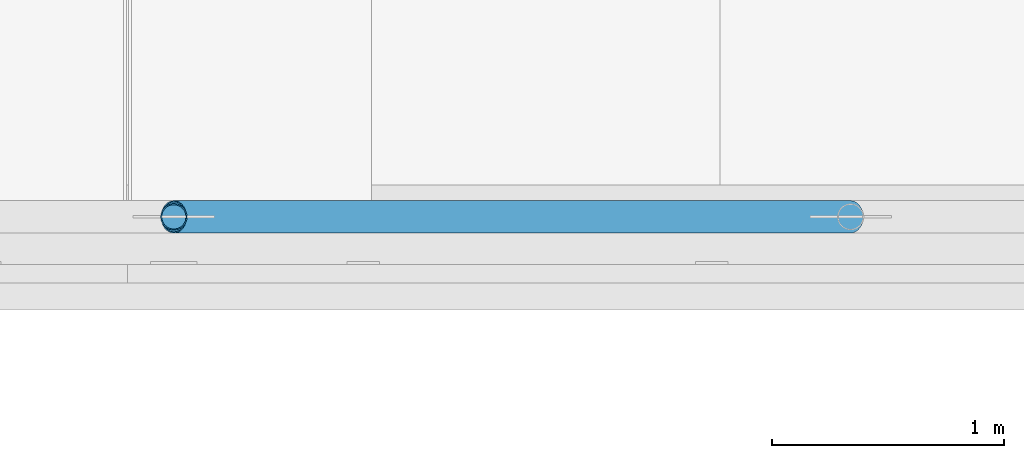
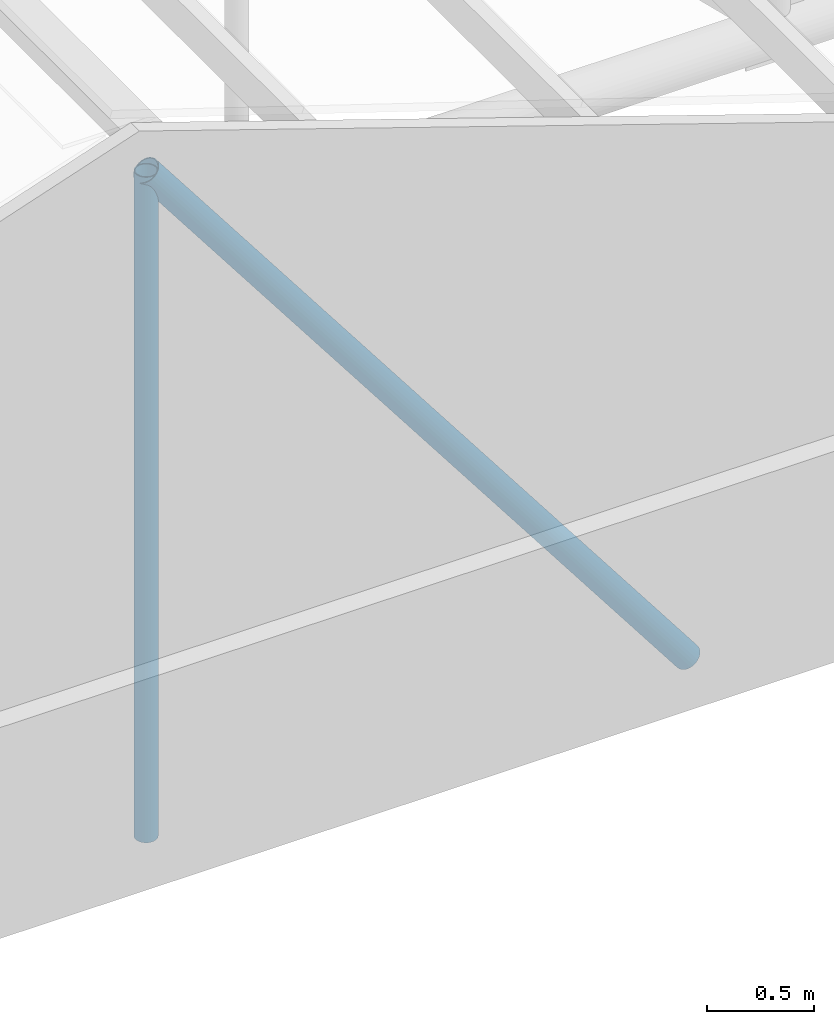
# One storey, part 7 of 95: 2 members.
"""IFC4 building model written with IfcOpenShell, lengths in metres."""

import ifcopenshell
import ifcopenshell.guid

model = None  # the IFC model being written
_history = None  # IfcOwnerHistory: only IFC2X3 demands one
_inside = {}  # id of a spatial element -> (the spatial element, [elements in it])
_under = {}  # id of a project, library or spatial element -> (it, [spatial elements below it])
_declared = {}  # id of a project -> (the project, [libraries it declares])
_typed = {}  # id of a type object -> (the type object, [elements of that type])
_made_of = {}  # id of a material, layer set ... -> (it, [elements and type objects made of it])


def new_model(schema):
    """Start an empty IFC model of exactly this schema.

    Asked for "IFC4X3", IfcOpenShell would pick the latest addendum, in which some entities
    have other attributes; the version numbers below select the first issue.
    IFC2X3 requires an IfcOwnerHistory on every rooted entity: one is made here for all.
    """
    global model, _history
    if schema == "IFC4X3":
        model = ifcopenshell.file(schema_version=(4, 3, 0, 0))
    else:
        model = ifcopenshell.file(schema=schema)
    _inside.clear()
    _under.clear()
    _declared.clear()
    _typed.clear()
    _made_of.clear()
    _history = None
    if model.schema == "IFC2X3":
        org = make("IfcOrganization", Name="unknown")
        user = make(
            "IfcPersonAndOrganization",
            ThePerson=make("IfcPerson", FamilyName="unknown"),
            TheOrganization=org,
        )
        app = make(
            "IfcApplication",
            ApplicationDeveloper=org,
            Version="unknown",
            ApplicationFullName="unknown",
            ApplicationIdentifier="unknown",
        )
        _history = make(
            "IfcOwnerHistory",
            OwningUser=user,
            OwningApplication=app,
            ChangeAction="ADDED",
            CreationDate=0,
        )
    return model


def make(cls, **values):
    """One entity of the class cls with the attributes given. An attribute that is None is left unset."""
    return model.create_entity(
        cls, **{name: value for name, value in values.items() if value is not None}
    )


def rooted(cls, **values):
    """An entity with a GlobalId (a new one), such as an element, a storey or a relation."""
    return make(cls, GlobalId=ifcopenshell.guid.new(), OwnerHistory=_history, **values)


def si_unit(unit_type, name, prefix=None):
    """IfcSIUnit, for example si_unit("LENGTHUNIT", "METRE", prefix="MILLI")."""
    return make("IfcSIUnit", UnitType=unit_type, Prefix=prefix, Name=name)


def assignment(units):
    """IfcUnitAssignment: the units of a project."""
    return None if units is None else make("IfcUnitAssignment", Units=units)


def point(xyz):
    """IfcCartesianPoint."""
    return None if xyz is None else make("IfcCartesianPoint", Coordinates=xyz)


def direction(xyz):
    """IfcDirection."""
    return None if xyz is None else make("IfcDirection", DirectionRatios=xyz)


def frame(location, z_axis=None, x_axis=None):
    """IfcAxis2Placement3D, a coordinate frame: its origin and axes. An axis left out is left unset."""
    return make(
        "IfcAxis2Placement3D",
        Location=point(location),
        Axis=direction(z_axis),
        RefDirection=direction(x_axis),
    )


def frame_2d(location, x_axis=None):
    """IfcAxis2Placement2D, a coordinate frame in the plane: its origin and x axis."""
    return make(
        "IfcAxis2Placement2D", Location=point(location), RefDirection=direction(x_axis)
    )


def origin():
    """The frame at (0, 0, 0) with its axes left unset."""
    return frame((0.0, 0.0, 0.0))


def origin_2d():
    """The frame at (0, 0) in the plane with its x axis left unset."""
    return frame_2d((0.0, 0.0))


def place(relative_to, where):
    """IfcLocalPlacement: puts the frame where relative to a parent placement (None: the world)."""
    return make(
        "IfcLocalPlacement", PlacementRelTo=relative_to, RelativePlacement=where
    )


def context(
    kind, dimensions, precision=None, world=None, true_north=None, identifier=None
):
    """IfcGeometricRepresentationContext, for example the 3D "Model" context."""
    return make(
        "IfcGeometricRepresentationContext",
        ContextIdentifier=identifier,
        ContextType=kind,
        CoordinateSpaceDimension=dimensions,
        Precision=precision,
        WorldCoordinateSystem=world,
        TrueNorth=true_north,
    )


def subcontext(parent, identifier, kind, view, scale=None):
    """IfcGeometricRepresentationSubContext, for example "Body" below "Model"."""
    return make(
        "IfcGeometricRepresentationSubContext",
        ContextIdentifier=identifier,
        ContextType=kind,
        ParentContext=parent,
        TargetScale=scale,
        TargetView=view,
    )


def project(units=None, contexts=None):
    """IfcProject with its units and contexts."""
    return rooted(
        "IfcProject",
        Name="project",
        RepresentationContexts=contexts,
        UnitsInContext=assignment(units),
    )


def spatial(cls, under=None, at=None, **own):
    """A site, building, storey or space (cls), placed at a placement, below another one or the project."""
    s = rooted(cls, ObjectPlacement=at, **own)
    if under is not None:
        _under.setdefault(under.id(), (under, []))[1].append(s)
    return s


def profile(cls, at=None, kind="AREA", **sizes):
    """A parametric profile (cls). Its sizes go by their IFC names, for example OverallWidth=200.0."""
    return make(cls, ProfileType=kind, Position=at, **sizes)


def hollow_circle(**sizes):
    """IfcCircleHollowProfileDef."""
    return profile("IfcCircleHollowProfileDef", **sizes)


def extrude(swept, where, along, depth):
    """IfcExtrudedAreaSolid: the profile swept, set in the frame where, extruded along a direction by depth."""
    return make(
        "IfcExtrudedAreaSolid",
        SweptArea=swept,
        Position=where,
        ExtrudedDirection=direction(along),
        Depth=depth,
    )


def shape(context_of_items, identifier, shape_type, items):
    """IfcShapeRepresentation: the items that make up one representation, for example the "Body"."""
    return make(
        "IfcShapeRepresentation",
        ContextOfItems=context_of_items,
        RepresentationIdentifier=identifier,
        RepresentationType=shape_type,
        Items=items,
    )


def material(Name=None, Category=None):
    """IfcMaterial."""
    return make("IfcMaterial", Name=Name, Category=Category)


def material_profile(
    of_material, cross_section, Name=None, Category=None, Priority=None
):
    """IfcMaterialProfile: a cross section and its material."""
    return make(
        "IfcMaterialProfile",
        Name=Name,
        Material=of_material,
        Profile=cross_section,
        Priority=Priority,
        Category=Category,
    )


def profile_set(profiles, Name=None, composite=None):
    """IfcMaterialProfileSet."""
    return make(
        "IfcMaterialProfileSet",
        Name=Name,
        MaterialProfiles=profiles,
        CompositeProfile=composite,
    )


def made_of(thing, what):
    """Note that an element or type object is made of a material, layer set ...; save() writes the relation."""
    if what is not None:
        _made_of.setdefault(what.id(), (what, []))[1].append(thing)
    return thing


def type_object(cls, material=None, **own):
    """A type object (cls), such as IfcWallType, which elements share."""
    return made_of(rooted(cls, **own), material)


def element(
    cls,
    number,
    at=None,
    inside=None,
    cuts=None,
    type_object=None,
    material=None,
    context=None,
    identifier="Body",
    shape_type=None,
    held_by="IfcProductDefinitionShape",
    body=None,
    shapes=None,
    **own,
):
    """One element of the class cls, such as IfcWall. Its Tag is "e" and its number.

    at: its placement. inside: the storey or other place that contains it. cuts: it is an
    opening in that element (IfcRelVoidsElement). A single representation is given by context,
    identifier, shape_type and body (its items); several are given by shapes. held_by: the class
    of the entity that holds the representations. save() writes the other relations.
    """
    e = rooted(cls, Tag="e%d" % number, ObjectPlacement=at, **own)
    if body is not None:
        shapes = [shape(context, identifier, shape_type, body)]
    if shapes is not None:
        e.Representation = make(held_by, Representations=shapes)
    if inside is not None:
        _inside.setdefault(inside.id(), (inside, []))[1].append(e)
    if cuts is not None:
        rooted(
            "IfcRelVoidsElement", RelatingBuildingElement=cuts, RelatedOpeningElement=e
        )
    if type_object is not None:
        _typed.setdefault(type_object.id(), (type_object, []))[1].append(e)
    return made_of(e, material)


def aggregate(whole, parts):
    """IfcRelAggregates: a whole, such as a stair, and the parts it consists of."""
    return rooted("IfcRelAggregates", RelatingObject=whole, RelatedObjects=parts)


def save(model, path):
    """Write the relations noted so far, then the file.

    IfcRelAggregates (storeys below a building ...), IfcRelContainedInSpatialStructure (elements
    in a storey), IfcRelDefinesByType, IfcRelAssociatesMaterial and IfcRelDeclares: one each for
    every whole, place, type object, material and project.
    """
    for whole, parts in _under.values():
        aggregate(whole, parts)
    for where, things in _inside.values():
        rooted(
            "IfcRelContainedInSpatialStructure",
            RelatedElements=things,
            RelatingStructure=where,
        )
    for kind, things in _typed.values():
        rooted("IfcRelDefinesByType", RelatedObjects=things, RelatingType=kind)
    for what, things in _made_of.values():
        rooted("IfcRelAssociatesMaterial", RelatedObjects=things, RelatingMaterial=what)
    for by, libraries in _declared.values():
        rooted("IfcRelDeclares", RelatingContext=by, RelatedDefinitions=libraries)
    model.write(path)


model = new_model("IFC4")

# Units and contexts
model_context = context("Model", 3, precision=1e-05, world=origin(), true_north=direction((0.0, 1.0)))
body_context = subcontext(model_context, "Body", "Model", "MODEL_VIEW")
ifc_project = project(units=[si_unit("LENGTHUNIT", "METRE"), si_unit("AREAUNIT", "SQUARE_METRE"), si_unit("VOLUMEUNIT", "CUBIC_METRE"), si_unit("PLANEANGLEUNIT", "RADIAN"), si_unit("MASSUNIT", "GRAM", prefix="KILO")], contexts=[model_context])

# Site, building, storey
site_placement = place(None, origin())
site = spatial("IfcSite", under=ifc_project, at=site_placement, CompositionType="ELEMENT")
building_placement = place(site_placement, origin())
building = spatial("IfcBuilding", under=site, at=building_placement, Name="Kiln Court Media Centre", CompositionType="ELEMENT")
storey_placement = place(building_placement, frame((0.0, 0.0, 24.60009765625)))
storey = spatial("IfcBuildingStorey", under=building, at=storey_placement, Name="L05", CompositionType="ELEMENT", Elevation=24.60009765625)

# Members
ifc_material_1 = material(Name="Steel ASTM A500 Gr C", Category="steel")
ifc_material_profile_1 = material_profile(ifc_material_1, hollow_circle(Radius=0.05712890625, WallThickness=0.0048828125, at=origin_2d()), Name="CHS 114.3x5.0")
ifc_profile_set_1 = profile_set([ifc_material_profile_1], Name="Steel ASTM A500 Gr C")
member_type_1 = type_object("IfcMemberType", Name="Steel ASTM A500 Gr C CHS 114.3x5.0 truss web", PredefinedType="BRACE", material=ifc_profile_set_1)
member_1_placement = place(storey_placement, frame((46.39990234375, 25.199951171875, -0.013916015625), z_axis=(0.0, 0.0, 1.0), x_axis=(1.0, 0.0, 0.0)))
element("IfcMember", 1, at=member_1_placement, inside=storey, type_object=member_type_1, Name="foyer truss FT-01 post 4 truss web", PredefinedType="BRACE", context=body_context, shape_type="SweptSolid", body=[
    extrude(hollow_circle(Radius=0.05712890625, WallThickness=0.0048828125, at=origin_2d()), origin(), (0.0, 0.0, 1.0), 3.785400390625),
])
ifc_material_2 = material(Name="Steel ASTM A500 Gr C", Category="steel")
ifc_material_profile_2 = material_profile(ifc_material_2, hollow_circle(Radius=0.06982421875, WallThickness=0.0048828125, at=origin_2d()), Name="CHS 139.7x5.0")
ifc_profile_set_2 = profile_set([ifc_material_profile_2], Name="Steel ASTM A500 Gr C")
member_type_2 = type_object("IfcMemberType", Name="Steel ASTM A500 Gr C CHS 139.7x5.0 truss web", PredefinedType="BRACE", material=ifc_profile_set_2)
member_2_placement = place(storey_placement, frame((46.39990234375, 25.199951171875, 3.771484375), z_axis=(0.609809567012, 0.0, -0.792547974561), x_axis=(0.0, 1.0, 0.0)))
element("IfcMember", 2, at=member_2_placement, inside=storey, type_object=member_type_2, Name="foyer truss FT-01 diagonal 5 truss web", PredefinedType="BRACE", context=body_context, shape_type="SweptSolid", body=[
    extrude(hollow_circle(Radius=0.06982421875, WallThickness=0.0048828125, at=origin_2d()), origin(), (0.0, 0.0, 1.0), 4.776123046875),
])

save(model, "model.ifc")
